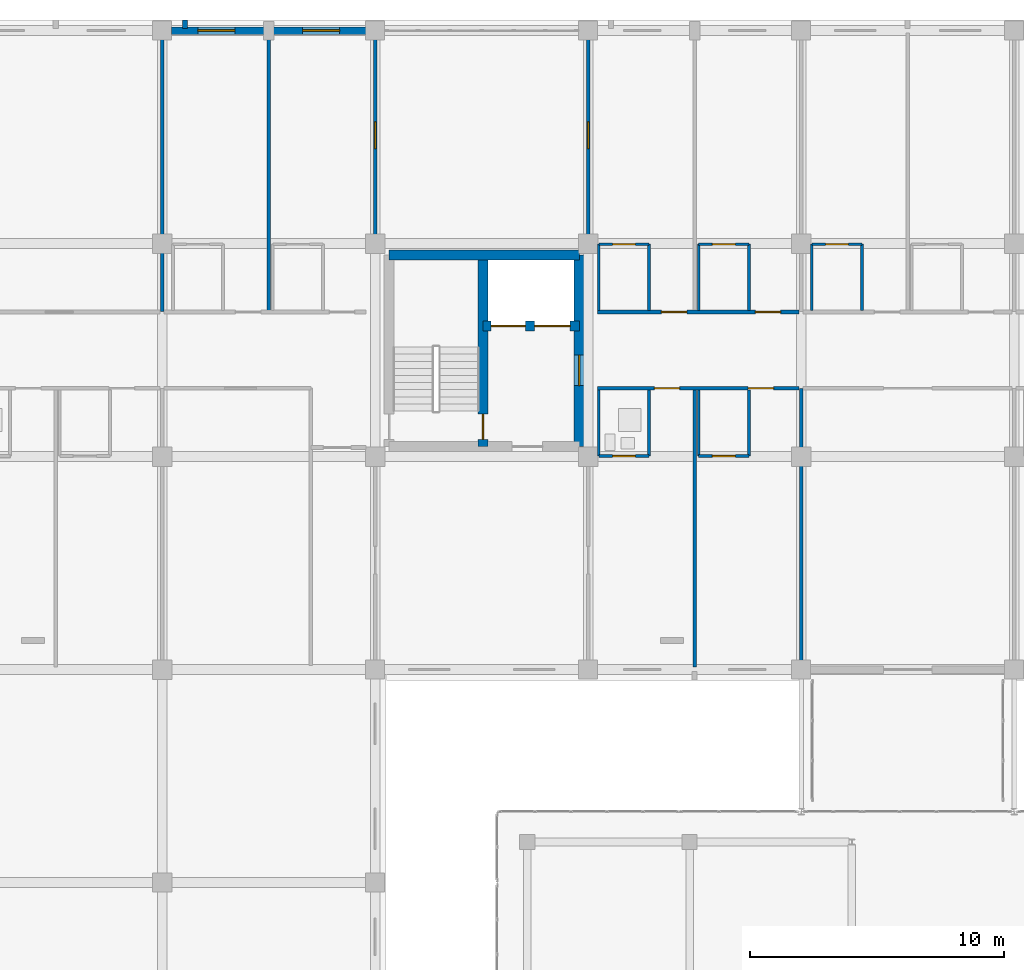
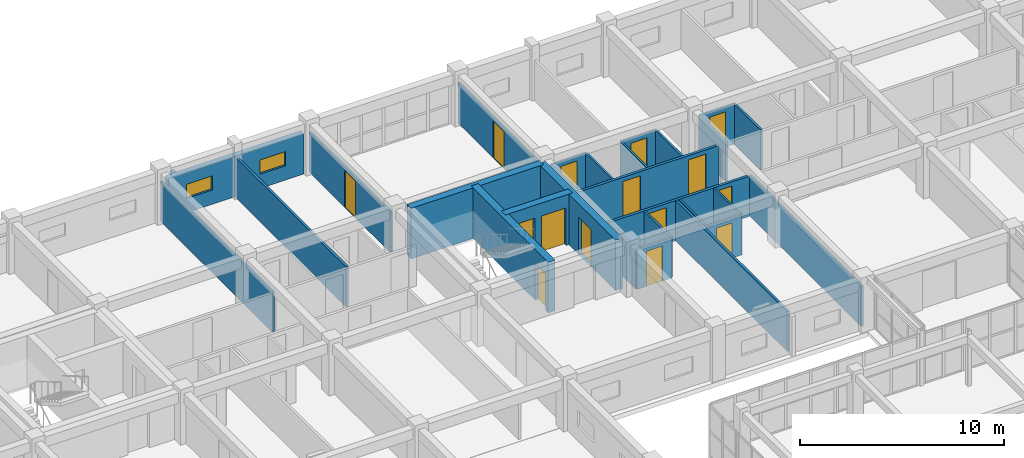
# One storey, part 175 of 200: 29 walls, 15 doors, 2 windows, 17 openings.
"""IFC4 building model written with IfcOpenShell, lengths in metres."""

from ifc_helpers import new_model, si_unit, direction, frame, frame_2d, origin, place, context, subcontext, project, spatial, rectangle, extrude, material, layer, layer_set, type_object, element, fill, save


model = new_model("IFC4")

# Units and contexts
model_context = context("Model", 3, precision=1e-05, world=origin(), true_north=direction((0.0, 1.0)))
body_context = subcontext(model_context, "Body", "Model", "MODEL_VIEW")
ifc_project = project(units=[si_unit("LENGTHUNIT", "METRE"), si_unit("AREAUNIT", "SQUARE_METRE"), si_unit("VOLUMEUNIT", "CUBIC_METRE"), si_unit("PLANEANGLEUNIT", "RADIAN"), si_unit("MASSUNIT", "GRAM", prefix="KILO")], contexts=[model_context])

# Site, building, storey
site_placement = place(None, origin())
site = spatial("IfcSite", under=ifc_project, at=site_placement, CompositionType="ELEMENT")
building_placement = place(site_placement, origin())
building = spatial("IfcBuilding", under=site, at=building_placement, Name="Trelvath General Hospital", CompositionType="ELEMENT")
storey_placement = place(building_placement, frame((0.0, 0.0, 4.800048828125)))
storey = spatial("IfcBuildingStorey", under=building, at=storey_placement, Name="L01", CompositionType="ELEMENT", Elevation=4.800048828125)

# Wall
ifc_material_1 = material(Name="Precast concrete C40/50", Category="concrete")
ifc_layer_1 = layer(ifc_material_1, 0.199951171875)
ifc_layer_set_1 = layer_set([ifc_layer_1], Name="Precast concrete C40/50")
wall_type_1 = type_object("IfcWallType", Name="BriseSoleilRib 200", PredefinedType="ELEMENTEDWALL", material=ifc_layer_set_1)
wall_1_placement = place(storey_placement, frame((34.506103515625, 117.675048828125, 0.0), z_axis=(0.0, 0.0, 1.0), x_axis=(0.0, 1.0, 0.0)))
element("IfcWall", 1, at=wall_1_placement, inside=storey, type_object=wall_type_1, Name="Precast Concrete Brise-Soleil Rib Fin L01-98", PredefinedType="ELEMENTEDWALL", context=body_context, shape_type="SweptSolid", body=[
    extrude(rectangle(XDim=0.33984375, YDim=0.199951171875, at=frame_2d((0.169921875, 0.0))), origin(), (0.0, 0.0, 1.0), 2.39990234375),
])

# Wall, openings, doors
ifc_material_2 = material(Name="Gypsum acoustic steel-stud partition", Category="steel")
ifc_layer_2 = layer(ifc_material_2, 0.14990234375)
ifc_layer_set_2 = layer_set([ifc_layer_2], Name="Gypsum acoustic steel-stud partition")
wall_type_2 = type_object("IfcWallType", Name="ClinicalPartition 150", PredefinedType="PARTITIONING", material=ifc_layer_set_2)
wall_2_placement = place(storey_placement, frame((50.760009765625, 103.5, 0.0), z_axis=(0.0, 0.0, 1.0), x_axis=(1.0, 0.0, 0.0)))
wall_2 = element("IfcWall", 2, at=wall_2_placement, inside=storey, type_object=wall_type_2, Name="Corridor Partition L01-539", PredefinedType="PARTITIONING", context=body_context, shape_type="SweptSolid", body=[
    extrude(rectangle(XDim=7.9599609375, YDim=0.14990234375, at=frame_2d((3.97998046875, 0.0))), origin(), (0.0, 0.0, 1.0), 2.39990234375),
])
opening_1_placement = place(wall_2_placement, frame((2.25, 0.0, 0.0)))
opening_1 = element("IfcOpeningElement", 3, at=opening_1_placement, cuts=wall_2, Name="Opening D-1-0554", PredefinedType="OPENING", context=body_context, shape_type="SweptSolid", body=[
    extrude(rectangle(XDim=1.0, YDim=2.14990234375, at=frame_2d((0.5, 1.074951171875))), frame((0.0, 0.0849609375, 0.0), z_axis=(0.0, -1.0, 0.0), x_axis=(1.0, 0.0, 0.0)), (0.0, 0.0, 1.0), 0.169921875),
])
opening_2_placement = place(wall_2_placement, frame((5.949951171875, 0.0, 0.0)))
opening_2 = element("IfcOpeningElement", 4, at=opening_2_placement, cuts=wall_2, Name="Opening D-1-0555", PredefinedType="OPENING", context=body_context, shape_type="SweptSolid", body=[
    extrude(rectangle(XDim=1.0, YDim=2.14990234375, at=frame_2d((0.5, 1.074951171875))), frame((0.0, 0.0849609375, 0.0), z_axis=(0.0, -1.0, 0.0), x_axis=(1.0, 0.0, 0.0)), (0.0, 0.0, 1.0), 0.169921875),
])
ifc_material_3 = material(Name="Acoustic hospital timber leaf", Category="wood")
door_type_1 = type_object("IfcDoorType", Name="Door Consult 1000x2150", OperationType="NOTDEFINED", PredefinedType="DOOR", material=ifc_material_3)
door_1_placement = place(opening_1_placement, origin())
door_1 = element("IfcDoor", 5, at=door_1_placement, inside=storey, type_object=door_type_1, Name="Patient Room Door L01-554", OperationType="SINGLE_SWING_RIGHT", OverallHeight=2.14990234375, OverallWidth=1.0, PredefinedType="DOOR", context=body_context, shape_type="SweptSolid", body=[
    extrude(rectangle(XDim=1.0, YDim=2.14990234375, at=frame_2d((0.5, 1.074951171875))), frame((0.0, 0.02490234375, 0.0), z_axis=(0.0, -1.0, 0.0), x_axis=(1.0, 0.0, 0.0)), (0.0, 0.0, 1.0), 0.050048828125),
])
fill(opening_1, door_1)
door_2_placement = place(opening_2_placement, origin())
door_2 = element("IfcDoor", 6, at=door_2_placement, inside=storey, type_object=door_type_1, Name="Patient Room Door L01-555", OperationType="SINGLE_SWING_LEFT", OverallHeight=2.14990234375, OverallWidth=1.0, PredefinedType="DOOR", context=body_context, shape_type="SweptSolid", body=[
    extrude(rectangle(XDim=1.0, YDim=2.14990234375, at=frame_2d((0.5, 1.074951171875))), frame((0.0, 0.02490234375, 0.0), z_axis=(0.0, -1.0, 0.0), x_axis=(1.0, 0.0, 0.0)), (0.0, 0.0, 1.0), 0.050048828125),
])
fill(opening_2, door_2)

wall_3_placement = place(storey_placement, frame((58.719970703125, 106.5, 0.0), z_axis=(0.0, 0.0, 1.0), x_axis=(-1.0, 0.0, 0.0)))
wall_3 = element("IfcWall", 7, at=wall_3_placement, inside=storey, type_object=wall_type_2, Name="Corridor Partition N L01-548", PredefinedType="PARTITIONING", context=body_context, shape_type="SweptSolid", body=[
    extrude(rectangle(XDim=7.9599609375, YDim=0.14990234375, at=frame_2d((3.97998046875, 0.0))), origin(), (0.0, 0.0, 1.0), 2.39990234375),
])
opening_3_placement = place(wall_3_placement, frame((0.72998046875, 0.0, 0.0)))
opening_3 = element("IfcOpeningElement", 8, at=opening_3_placement, cuts=wall_3, Name="Opening D-1-0558", PredefinedType="OPENING", context=body_context, shape_type="SweptSolid", body=[
    extrude(rectangle(XDim=1.0, YDim=2.14990234375, at=frame_2d((0.5, 1.074951171875))), frame((0.0, 0.0849609375, 0.0), z_axis=(0.0, -1.0, 0.0), x_axis=(1.0, 0.0, 0.0)), (0.0, 0.0, 1.0), 0.169921875),
])
opening_4_placement = place(wall_3_placement, frame((4.429931640625, 0.0, 0.0)))
opening_4 = element("IfcOpeningElement", 9, at=opening_4_placement, cuts=wall_3, Name="Opening D-1-0559", PredefinedType="OPENING", context=body_context, shape_type="SweptSolid", body=[
    extrude(rectangle(XDim=1.0, YDim=2.14990234375, at=frame_2d((0.5, 1.074951171875))), frame((0.0, 0.0849609375, 0.0), z_axis=(0.0, -1.0, 0.0), x_axis=(1.0, 0.0, 0.0)), (0.0, 0.0, 1.0), 0.169921875),
])
door_3_placement = place(opening_3_placement, origin())
door_3 = element("IfcDoor", 10, at=door_3_placement, inside=storey, type_object=door_type_1, Name="Patient Room Door N L01-558", OperationType="SINGLE_SWING_RIGHT", OverallHeight=2.14990234375, OverallWidth=1.0, PredefinedType="DOOR", context=body_context, shape_type="SweptSolid", body=[
    extrude(rectangle(XDim=1.0, YDim=2.14990234375, at=frame_2d((0.5, 1.074951171875))), frame((0.0, 0.02490234375, 0.0), z_axis=(0.0, -1.0, 0.0), x_axis=(1.0, 0.0, 0.0)), (0.0, 0.0, 1.0), 0.050048828125),
])
fill(opening_3, door_3)
door_4_placement = place(opening_4_placement, origin())
door_4 = element("IfcDoor", 11, at=door_4_placement, inside=storey, type_object=door_type_1, Name="Patient Room Door N L01-559", OperationType="SINGLE_SWING_RIGHT", OverallHeight=2.14990234375, OverallWidth=1.0, PredefinedType="DOOR", context=body_context, shape_type="SweptSolid", body=[
    extrude(rectangle(XDim=1.0, YDim=2.14990234375, at=frame_2d((0.5, 1.074951171875))), frame((0.0, 0.02490234375, 0.0), z_axis=(0.0, -1.0, 0.0), x_axis=(1.0, 0.0, 0.0)), (0.0, 0.0, 1.0), 0.050048828125),
])
fill(opening_4, door_4)

# Wall
ifc_material_4 = material(Name="Concrete C40/50", Category="concrete")
ifc_layer_3 = layer(ifc_material_4, 0.39990234375)
ifc_layer_set_3 = layer_set([ifc_layer_3], Name="Concrete C40/50")
wall_type_3 = type_object("IfcWallType", Name="CoreShearWall 400", PredefinedType="SHEAR", material=ifc_layer_set_3)
wall_4_placement = place(storey_placement, frame((42.550048828125, 108.75, 0.0), z_axis=(0.0, 0.0, 1.0), x_axis=(1.0, 0.0, 0.0)))
element("IfcWall", 12, at=wall_4_placement, inside=storey, type_object=wall_type_3, Name="Core Shear Wall C1 N L01", PredefinedType="SHEAR", context=body_context, shape_type="SweptSolid", body=[
    extrude(rectangle(XDim=7.5, YDim=0.39990234375, at=frame_2d((3.75, 0.0))), origin(), (0.0, 0.0, 1.0), 3.02001953125),
])

# Wall, opening, door
wall_5_placement = place(storey_placement, frame((50.050048828125, 101.199951171875, 0.0), z_axis=(0.0, 0.0, 1.0), x_axis=(0.0, 1.0, 0.0)))
wall_5 = element("IfcWall", 13, at=wall_5_placement, inside=storey, type_object=wall_type_3, Name="Core Shear Wall C1 E L01", PredefinedType="SHEAR", context=body_context, shape_type="SweptSolid", body=[
    extrude(rectangle(XDim=7.550048828125, YDim=0.39990234375, at=frame_2d((3.77490234375, 0.0))), origin(), (0.0, 0.0, 1.0), 3.02001953125),
])
opening_5_placement = place(wall_5_placement, frame((2.39990234375, 0.0, 0.0)))
opening_5 = element("IfcOpeningElement", 14, at=opening_5_placement, cuts=wall_5, Name="Opening FD-LE11", PredefinedType="OPENING", context=body_context, shape_type="SweptSolid", body=[
    extrude(rectangle(XDim=1.199951171875, YDim=2.199951171875, at=frame_2d((0.60009765625, 1.10009765625))), frame((0.0, 0.2099609375, 0.0), z_axis=(0.0, -1.0, 0.0), x_axis=(1.0, 0.0, 0.0)), (0.0, 0.0, 1.0), 0.419921875),
])
ifc_material_5 = material(Name="Fire-rated steel door", Category="steel")
door_type_2 = type_object("IfcDoorType", Name="Door FireLobby 1200x2200", OperationType="NOTDEFINED", PredefinedType="DOOR", material=ifc_material_5)
door_5_placement = place(opening_5_placement, origin())
door_5 = element("IfcDoor", 15, at=door_5_placement, inside=storey, type_object=door_type_2, Name="Fire Lobby East Corridor Door C1 L01", OperationType="SINGLE_SWING_LEFT", OverallHeight=2.199951171875, OverallWidth=1.199951171875, PredefinedType="DOOR", context=body_context, shape_type="SweptSolid", body=[
    extrude(rectangle(XDim=1.199951171875, YDim=2.199951171875, at=frame_2d((0.60009765625, 1.10009765625))), frame((0.0, 0.02490234375, 0.0), z_axis=(0.0, -1.0, 0.0), x_axis=(1.0, 0.0, 0.0)), (0.0, 0.0, 1.0), 0.050048828125),
])
fill(opening_5, door_5)

wall_6_placement = place(storey_placement, frame((46.25, 101.199951171875, 0.0), z_axis=(0.0, 0.0, 1.0), x_axis=(0.0, 1.0, 0.0)))
wall_6 = element("IfcWall", 16, at=wall_6_placement, inside=storey, type_object=wall_type_3, Name="Core Shear Wall C1 SPINE L01", PredefinedType="SHEAR", context=body_context, shape_type="SweptSolid", body=[
    extrude(rectangle(XDim=7.550048828125, YDim=0.39990234375, at=frame_2d((3.77490234375, 0.0))), origin(), (0.0, 0.0, 1.0), 3.02001953125),
])
opening_6_placement = place(wall_6_placement, frame((0.280029296875, 0.0, 0.0)))
opening_6 = element("IfcOpeningElement", 17, at=opening_6_placement, cuts=wall_6, Name="Opening FD-S11", PredefinedType="OPENING", context=body_context, shape_type="SweptSolid", body=[
    extrude(rectangle(XDim=1.0, YDim=2.14990234375, at=frame_2d((0.5, 1.074951171875))), frame((0.0, 0.2099609375, 0.0), z_axis=(0.0, -1.0, 0.0), x_axis=(1.0, 0.0, 0.0)), (0.0, 0.0, 1.0), 0.419921875),
])
ifc_material_6 = material(Name="Fire-rated steel door", Category="steel")
door_type_3 = type_object("IfcDoorType", Name="Door FireStair 1100x2150", OperationType="NOTDEFINED", PredefinedType="DOOR", material=ifc_material_6)
door_6_placement = place(opening_6_placement, origin())
door_6 = element("IfcDoor", 18, at=door_6_placement, inside=storey, type_object=door_type_3, Name="Exit Stair Door ST1 L01", OperationType="SINGLE_SWING_RIGHT", OverallHeight=2.14990234375, OverallWidth=1.0, PredefinedType="DOOR", context=body_context, shape_type="SweptSolid", body=[
    extrude(rectangle(XDim=1.0, YDim=2.14990234375, at=frame_2d((0.5, 1.074951171875))), frame((0.0, 0.02490234375, 0.0), z_axis=(0.0, -1.0, 0.0), x_axis=(1.0, 0.0, 0.0)), (0.0, 0.0, 1.0), 0.050048828125),
])
fill(opening_6, door_6)

# Wall, openings, doors
wall_7_placement = place(storey_placement, frame((46.25, 105.949951171875, 0.0), z_axis=(0.0, 0.0, 1.0), x_axis=(1.0, 0.0, 0.0)))
wall_7 = element("IfcWall", 19, at=wall_7_placement, inside=storey, type_object=wall_type_3, Name="Core Shear Wall C1 SHAFT L01", PredefinedType="SHEAR", context=body_context, shape_type="SweptSolid", body=[
    extrude(rectangle(XDim=3.800048828125, YDim=0.39990234375, at=frame_2d((1.89990234375, 0.0))), origin(), (0.0, 0.0, 1.0), 3.02001953125),
])
opening_7_placement = place(wall_7_placement, frame((0.320068359375, 0.0, 0.0)))
opening_7 = element("IfcOpeningElement", 20, at=opening_7_placement, cuts=wall_7, Name="Opening LD-FF1-1", PredefinedType="OPENING", context=body_context, shape_type="SweptSolid", body=[
    extrude(rectangle(XDim=1.35009765625, YDim=2.25, at=frame_2d((0.675048828125, 1.125))), frame((0.0, 0.2099609375, 0.0), z_axis=(0.0, -1.0, 0.0), x_axis=(1.0, 0.0, 0.0)), (0.0, 0.0, 1.0), 0.419921875),
])
opening_8_placement = place(wall_7_placement, frame((2.0400390625, 0.0, 0.0)))
opening_8 = element("IfcOpeningElement", 21, at=opening_8_placement, cuts=wall_7, Name="Opening LD-BD1-1", PredefinedType="OPENING", context=body_context, shape_type="SweptSolid", body=[
    extrude(rectangle(XDim=1.39990234375, YDim=2.25, at=frame_2d((0.699951171875, 1.125))), frame((0.0, 0.2099609375, 0.0), z_axis=(0.0, -1.0, 0.0), x_axis=(1.0, 0.0, 0.0)), (0.0, 0.0, 1.0), 0.419921875),
])
ifc_material_7 = material(Name="Stainless steel stretcher lift landing door", Category="steel")
door_type_4 = type_object("IfcDoorType", Name="Door LiftBed 1400x2250", OperationType="SLIDING_TO_LEFT", PredefinedType="DOOR", material=ifc_material_7)
door_7_placement = place(opening_8_placement, origin())
door_7 = element("IfcDoor", 22, at=door_7_placement, inside=storey, type_object=door_type_4, Name="Lift Landing Sliding Door LF-BD1 L01", OperationType="SLIDING_TO_LEFT", OverallHeight=2.25, OverallWidth=1.39990234375, PredefinedType="DOOR", context=body_context, shape_type="SweptSolid", body=[
    extrude(rectangle(XDim=1.39990234375, YDim=2.25, at=frame_2d((0.699951171875, 1.125))), frame((0.0, 0.02490234375, 0.0), z_axis=(0.0, -1.0, 0.0), x_axis=(1.0, 0.0, 0.0)), (0.0, 0.0, 1.0), 0.050048828125),
])
fill(opening_8, door_7)
ifc_material_8 = material(Name="Fire-rated stainless lift landing door")
door_type_5 = type_object("IfcDoorType", Name="Door LiftFire 1350x2250", OperationType="SLIDING_TO_LEFT", PredefinedType="DOOR", material=ifc_material_8)
door_8_placement = place(opening_7_placement, origin())
door_8 = element("IfcDoor", 23, at=door_8_placement, inside=storey, type_object=door_type_5, Name="Lift Landing Sliding Door LF-FF1 L01", OperationType="SLIDING_TO_LEFT", OverallHeight=2.25, OverallWidth=1.35009765625, PredefinedType="DOOR", context=body_context, shape_type="SweptSolid", body=[
    extrude(rectangle(XDim=1.35009765625, YDim=2.25, at=frame_2d((0.675048828125, 1.125))), frame((0.0, 0.02490234375, 0.0), z_axis=(0.0, -1.0, 0.0), x_axis=(1.0, 0.0, 0.0)), (0.0, 0.0, 1.0), 0.050048828125),
])
fill(opening_7, door_8)

# Walls
ifc_material_9 = material(Name="Moisture-resistant tile partition")
ifc_layer_4 = layer(ifc_material_9, 0.110107421875)
ifc_layer_set_4 = layer_set([ifc_layer_4], Name="Moisture-resistant tile partition")
wall_type_4 = type_object("IfcWallType", Name="EnSuiteWetWall 110", PredefinedType="PARTITIONING", material=ifc_layer_set_4)
for number, where, z_axis, x_axis, name in (
    (24, (50.820068359375, 100.820068359375, 0.0), (0.0, 0.0, 1.0), (0.0, 1.0, 0.0), "En-Suite W Wall L01-541"),
    (25, (52.800048828125, 100.820068359375, 0.0), (0.0, 0.0, 1.0), (0.0, 1.0, 0.0), "En-Suite E Wall L01-542"),
):
    element("IfcWall", number, at=place(storey_placement, frame(where, z_axis=z_axis, x_axis=x_axis)), inside=storey, type_object=wall_type_4, Name=name, PredefinedType="PARTITIONING", context=body_context, shape_type="SweptSolid", body=[
        extrude(rectangle(XDim=2.60986328125, YDim=0.110107421875, at=frame_2d((1.304931640625, 0.0))), origin(), (0.0, 0.0, 1.0), 2.39990234375),
    ])

# Wall, opening, door
wall_8_placement = place(storey_placement, frame((50.820068359375, 100.820068359375, 0.0), z_axis=(0.0, 0.0, 1.0), x_axis=(1.0, 0.0, 0.0)))
wall_8 = element("IfcWall", 26, at=wall_8_placement, inside=storey, type_object=wall_type_4, Name="En-Suite Bathroom Partition L01-543", PredefinedType="PARTITIONING", context=body_context, shape_type="SweptSolid", body=[
    extrude(rectangle(XDim=1.97998046875, YDim=0.110107421875, at=frame_2d((0.989990234375, 0.0))), origin(), (0.0, 0.0, 1.0), 2.39990234375),
])
opening_9_placement = place(wall_8_placement, frame((0.5400390625, 0.0, 0.0)))
opening_9 = element("IfcOpeningElement", 27, at=opening_9_placement, cuts=wall_8, Name="Opening D-1-0556", PredefinedType="OPENING", context=body_context, shape_type="SweptSolid", body=[
    extrude(rectangle(XDim=0.89990234375, YDim=2.10009765625, at=frame_2d((0.449951171875, 1.050048828125))), frame((0.0, 0.06494140625, 0.0), z_axis=(0.0, -1.0, 0.0), x_axis=(1.0, 0.0, 0.0)), (0.0, 0.0, 1.0), 0.130126953125),
])
ifc_material_10 = material(Name="Moisture-sealed timber leaf", Category="wood")
door_type_6 = type_object("IfcDoorType", Name="Door EnSuite 900x2100", OperationType="NOTDEFINED", PredefinedType="DOOR", material=ifc_material_10)
door_9_placement = place(opening_9_placement, origin())
door_9 = element("IfcDoor", 28, at=door_9_placement, inside=storey, type_object=door_type_6, Name="En-Suite Bathroom Door L01-556", OperationType="SINGLE_SWING_RIGHT", OverallHeight=2.10009765625, OverallWidth=0.89990234375, PredefinedType="DOOR", context=body_context, shape_type="SweptSolid", body=[
    extrude(rectangle(XDim=0.89990234375, YDim=2.10009765625, at=frame_2d((0.449951171875, 1.050048828125))), frame((0.0, 0.02490234375, 0.0), z_axis=(0.0, -1.0, 0.0), x_axis=(1.0, 0.0, 0.0)), (0.0, 0.0, 1.0), 0.050048828125),
])
fill(opening_9, door_9)

# Walls
for number, where, z_axis, x_axis, name in (
    (29, (54.760009765625, 100.820068359375, 0.0), (0.0, 0.0, 1.0), (0.0, 1.0, 0.0), "En-Suite W Wall L01-544"),
    (30, (56.739990234375, 100.820068359375, 0.0), (0.0, 0.0, 1.0), (0.0, 1.0, 0.0), "En-Suite E Wall L01-545"),
):
    element("IfcWall", number, at=place(storey_placement, frame(where, z_axis=z_axis, x_axis=x_axis)), inside=storey, type_object=wall_type_4, Name=name, PredefinedType="PARTITIONING", context=body_context, shape_type="SweptSolid", body=[
        extrude(rectangle(XDim=2.60986328125, YDim=0.110107421875, at=frame_2d((1.304931640625, 0.0))), origin(), (0.0, 0.0, 1.0), 2.39990234375),
    ])

# Wall, opening, door
wall_9_placement = place(storey_placement, frame((54.760009765625, 100.820068359375, 0.0), z_axis=(0.0, 0.0, 1.0), x_axis=(1.0, 0.0, 0.0)))
wall_9 = element("IfcWall", 31, at=wall_9_placement, inside=storey, type_object=wall_type_4, Name="En-Suite Bathroom Partition L01-546", PredefinedType="PARTITIONING", context=body_context, shape_type="SweptSolid", body=[
    extrude(rectangle(XDim=1.97998046875, YDim=0.110107421875, at=frame_2d((0.989990234375, 0.0))), origin(), (0.0, 0.0, 1.0), 2.39990234375),
])
opening_10_placement = place(wall_9_placement, frame((0.5400390625, 0.0, 0.0)))
opening_10 = element("IfcOpeningElement", 32, at=opening_10_placement, cuts=wall_9, Name="Opening D-1-0557", PredefinedType="OPENING", context=body_context, shape_type="SweptSolid", body=[
    extrude(rectangle(XDim=0.89990234375, YDim=2.10009765625, at=frame_2d((0.449951171875, 1.050048828125))), frame((0.0, 0.06494140625, 0.0), z_axis=(0.0, -1.0, 0.0), x_axis=(1.0, 0.0, 0.0)), (0.0, 0.0, 1.0), 0.130126953125),
])
door_10_placement = place(opening_10_placement, origin())
door_10 = element("IfcDoor", 33, at=door_10_placement, inside=storey, type_object=door_type_6, Name="En-Suite Bathroom Door L01-557", OperationType="SINGLE_SWING_LEFT", OverallHeight=2.10009765625, OverallWidth=0.89990234375, PredefinedType="DOOR", context=body_context, shape_type="SweptSolid", body=[
    extrude(rectangle(XDim=0.89990234375, YDim=2.10009765625, at=frame_2d((0.449951171875, 1.050048828125))), frame((0.0, 0.02490234375, 0.0), z_axis=(0.0, -1.0, 0.0), x_axis=(1.0, 0.0, 0.0)), (0.0, 0.0, 1.0), 0.050048828125),
])
fill(opening_10, door_10)

# Walls
for number, where, z_axis, x_axis, name in (
    (34, (50.820068359375, 106.570068359375, 0.0), (0.0, 0.0, 1.0), (0.0, 1.0, 0.0), "En-Suite W Wall N L01-550"),
    (35, (52.800048828125, 106.570068359375, 0.0), (0.0, 0.0, 1.0), (0.0, 1.0, 0.0), "En-Suite E Wall N L01-551"),
):
    element("IfcWall", number, at=place(storey_placement, frame(where, z_axis=z_axis, x_axis=x_axis)), inside=storey, type_object=wall_type_4, Name=name, PredefinedType="PARTITIONING", context=body_context, shape_type="SweptSolid", body=[
        extrude(rectangle(XDim=2.60986328125, YDim=0.110107421875, at=frame_2d((1.304931640625, 0.0))), origin(), (0.0, 0.0, 1.0), 2.39990234375),
    ])

# Wall, opening, door
wall_10_placement = place(storey_placement, frame((50.820068359375, 109.179931640625, 0.0), z_axis=(0.0, 0.0, 1.0), x_axis=(1.0, 0.0, 0.0)))
wall_10 = element("IfcWall", 36, at=wall_10_placement, inside=storey, type_object=wall_type_4, Name="En-Suite Bathroom N Partition L01-552", PredefinedType="PARTITIONING", context=body_context, shape_type="SweptSolid", body=[
    extrude(rectangle(XDim=1.97998046875, YDim=0.110107421875, at=frame_2d((0.989990234375, 0.0))), origin(), (0.0, 0.0, 1.0), 2.39990234375),
])
opening_11_placement = place(wall_10_placement, frame((0.5400390625, 0.0, 0.0)))
opening_11 = element("IfcOpeningElement", 37, at=opening_11_placement, cuts=wall_10, Name="Opening D-1-0560", PredefinedType="OPENING", context=body_context, shape_type="SweptSolid", body=[
    extrude(rectangle(XDim=0.89990234375, YDim=2.10009765625, at=frame_2d((0.449951171875, 1.050048828125))), frame((0.0, 0.06494140625, 0.0), z_axis=(0.0, -1.0, 0.0), x_axis=(1.0, 0.0, 0.0)), (0.0, 0.0, 1.0), 0.130126953125),
])
door_11_placement = place(opening_11_placement, origin())
door_11 = element("IfcDoor", 38, at=door_11_placement, inside=storey, type_object=door_type_6, Name="En-Suite Bathroom N Door L01-560", OperationType="SINGLE_SWING_LEFT", OverallHeight=2.10009765625, OverallWidth=0.89990234375, PredefinedType="DOOR", context=body_context, shape_type="SweptSolid", body=[
    extrude(rectangle(XDim=0.89990234375, YDim=2.10009765625, at=frame_2d((0.449951171875, 1.050048828125))), frame((0.0, 0.02490234375, 0.0), z_axis=(0.0, -1.0, 0.0), x_axis=(1.0, 0.0, 0.0)), (0.0, 0.0, 1.0), 0.050048828125),
])
fill(opening_11, door_11)

# Walls
for number, where, z_axis, x_axis, name in (
    (39, (54.760009765625, 106.570068359375, 0.0), (0.0, 0.0, 1.0), (0.0, 1.0, 0.0), "En-Suite W Wall N L01-553"),
    (40, (56.739990234375, 106.570068359375, 0.0), (0.0, 0.0, 1.0), (0.0, 1.0, 0.0), "En-Suite E Wall N L01-554"),
):
    element("IfcWall", number, at=place(storey_placement, frame(where, z_axis=z_axis, x_axis=x_axis)), inside=storey, type_object=wall_type_4, Name=name, PredefinedType="PARTITIONING", context=body_context, shape_type="SweptSolid", body=[
        extrude(rectangle(XDim=2.60986328125, YDim=0.110107421875, at=frame_2d((1.304931640625, 0.0))), origin(), (0.0, 0.0, 1.0), 2.39990234375),
    ])

# Wall, opening, door
wall_11_placement = place(storey_placement, frame((54.760009765625, 109.179931640625, 0.0), z_axis=(0.0, 0.0, 1.0), x_axis=(1.0, 0.0, 0.0)))
wall_11 = element("IfcWall", 41, at=wall_11_placement, inside=storey, type_object=wall_type_4, Name="En-Suite Bathroom N Partition L01-555", PredefinedType="PARTITIONING", context=body_context, shape_type="SweptSolid", body=[
    extrude(rectangle(XDim=1.97998046875, YDim=0.110107421875, at=frame_2d((0.989990234375, 0.0))), origin(), (0.0, 0.0, 1.0), 2.39990234375),
])
opening_12_placement = place(wall_11_placement, frame((0.5400390625, 0.0, 0.0)))
opening_12 = element("IfcOpeningElement", 42, at=opening_12_placement, cuts=wall_11, Name="Opening D-1-0561", PredefinedType="OPENING", context=body_context, shape_type="SweptSolid", body=[
    extrude(rectangle(XDim=0.89990234375, YDim=2.10009765625, at=frame_2d((0.449951171875, 1.050048828125))), frame((0.0, 0.06494140625, 0.0), z_axis=(0.0, -1.0, 0.0), x_axis=(1.0, 0.0, 0.0)), (0.0, 0.0, 1.0), 0.130126953125),
])
door_12_placement = place(opening_12_placement, origin())
door_12 = element("IfcDoor", 43, at=door_12_placement, inside=storey, type_object=door_type_6, Name="En-Suite Bathroom N Door L01-561", OperationType="SINGLE_SWING_RIGHT", OverallHeight=2.10009765625, OverallWidth=0.89990234375, PredefinedType="DOOR", context=body_context, shape_type="SweptSolid", body=[
    extrude(rectangle(XDim=0.89990234375, YDim=2.10009765625, at=frame_2d((0.449951171875, 1.050048828125))), frame((0.0, 0.02490234375, 0.0), z_axis=(0.0, -1.0, 0.0), x_axis=(1.0, 0.0, 0.0)), (0.0, 0.0, 1.0), 0.050048828125),
])
fill(opening_12, door_12)

# Walls
for number, where, z_axis, x_axis, name in (
    (44, (59.219970703125, 106.570068359375, 0.0), (0.0, 0.0, 1.0), (0.0, 1.0, 0.0), "En-Suite W Wall N L01-561"),
    (45, (61.199951171875, 106.570068359375, 0.0), (0.0, 0.0, 1.0), (0.0, 1.0, 0.0), "En-Suite E Wall N L01-562"),
):
    element("IfcWall", number, at=place(storey_placement, frame(where, z_axis=z_axis, x_axis=x_axis)), inside=storey, type_object=wall_type_4, Name=name, PredefinedType="PARTITIONING", context=body_context, shape_type="SweptSolid", body=[
        extrude(rectangle(XDim=2.60986328125, YDim=0.110107421875, at=frame_2d((1.304931640625, 0.0))), origin(), (0.0, 0.0, 1.0), 2.39990234375),
    ])

# Wall, opening, door
wall_12_placement = place(storey_placement, frame((59.219970703125, 109.179931640625, 0.0), z_axis=(0.0, 0.0, 1.0), x_axis=(1.0, 0.0, 0.0)))
wall_12 = element("IfcWall", 46, at=wall_12_placement, inside=storey, type_object=wall_type_4, Name="En-Suite Bathroom N Partition L01-563", PredefinedType="PARTITIONING", context=body_context, shape_type="SweptSolid", body=[
    extrude(rectangle(XDim=1.97998046875, YDim=0.110107421875, at=frame_2d((0.989990234375, 0.0))), origin(), (0.0, 0.0, 1.0), 2.39990234375),
])
opening_13_placement = place(wall_12_placement, frame((0.5400390625, 0.0, 0.0)))
opening_13 = element("IfcOpeningElement", 47, at=opening_13_placement, cuts=wall_12, Name="Opening D-1-0565", PredefinedType="OPENING", context=body_context, shape_type="SweptSolid", body=[
    extrude(rectangle(XDim=0.89990234375, YDim=2.10009765625, at=frame_2d((0.449951171875, 1.050048828125))), frame((0.0, 0.06494140625, 0.0), z_axis=(0.0, -1.0, 0.0), x_axis=(1.0, 0.0, 0.0)), (0.0, 0.0, 1.0), 0.130126953125),
])
door_13_placement = place(opening_13_placement, origin())
door_13 = element("IfcDoor", 48, at=door_13_placement, inside=storey, type_object=door_type_6, Name="En-Suite Bathroom N Door L01-565", OperationType="SINGLE_SWING_RIGHT", OverallHeight=2.10009765625, OverallWidth=0.89990234375, PredefinedType="DOOR", context=body_context, shape_type="SweptSolid", body=[
    extrude(rectangle(XDim=0.89990234375, YDim=2.10009765625, at=frame_2d((0.449951171875, 1.050048828125))), frame((0.0, 0.02490234375, 0.0), z_axis=(0.0, -1.0, 0.0), x_axis=(1.0, 0.0, 0.0)), (0.0, 0.0, 1.0), 0.050048828125),
])
fill(opening_13, door_13)

# Wall, openings, windows
ifc_material_11 = material(Name="Concrete C35/45", Category="concrete")
ifc_layer_5 = layer(ifc_material_11, 0.2900390625)
ifc_layer_set_5 = layer_set([ifc_layer_5], Name="Concrete C35/45")
wall_type_5 = type_object("IfcWallType", Name="ExtBushHammeredWall 290", PredefinedType="SOLIDWALL", material=ifc_layer_set_5)
wall_13_placement = place(storey_placement, frame((33.969970703125, 117.60009765625, 0.0), z_axis=(0.0, 0.0, 1.0), x_axis=(1.0, 0.0, 0.0)))
wall_13 = element("IfcWall", 49, at=wall_13_placement, inside=storey, type_object=wall_type_5, Name="Exterior Concrete Wall L01-139", PredefinedType="SOLIDWALL", context=body_context, shape_type="SweptSolid", body=[
    extrude(rectangle(XDim=7.659912109375, YDim=0.2900390625, at=frame_2d((3.830078125, 0.0))), origin(), (0.0, 0.0, 1.0), 2.419921875),
])
opening_14_placement = place(wall_13_placement, frame((1.03173828125, 0.0, 0.85009765625)))
opening_14 = element("IfcOpeningElement", 50, at=opening_14_placement, cuts=wall_13, Name="Opening WN-1-207", PredefinedType="OPENING", context=body_context, shape_type="SweptSolid", body=[
    extrude(rectangle(XDim=1.4599609375, YDim=0.85009765625, at=frame_2d((0.72998046875, 0.425048828125))), frame((0.0, 0.155029296875, 0.0), z_axis=(0.0, -1.0, 0.0), x_axis=(1.0, 0.0, 0.0)), (0.0, 0.0, 1.0), 0.31005859375),
])
opening_15_placement = place(wall_13_placement, frame((5.168212890625, 0.0, 0.85009765625)))
opening_15 = element("IfcOpeningElement", 51, at=opening_15_placement, cuts=wall_13, Name="Opening WN-1-208", PredefinedType="OPENING", context=body_context, shape_type="SweptSolid", body=[
    extrude(rectangle(XDim=1.4599609375, YDim=0.85009765625, at=frame_2d((0.72998046875, 0.425048828125))), frame((0.0, 0.155029296875, 0.0), z_axis=(0.0, -1.0, 0.0), x_axis=(1.0, 0.0, 0.0)), (0.0, 0.0, 1.0), 0.31005859375),
])
ifc_material_12 = material(Name="Low-E laminated glass", Category="glass")
window_type = type_object("IfcWindowType", Name="Window ImagingClere 1460x850", PartitioningType="DOUBLE_PANEL_VERTICAL", PredefinedType="WINDOW", material=ifc_material_12)
window_1_placement = place(opening_14_placement, origin())
window_1 = element("IfcWindow", 52, at=window_1_placement, inside=storey, type_object=window_type, Name="Solar Reveal Window L01-207", OverallHeight=0.85009765625, OverallWidth=1.4599609375, PartitioningType="SINGLE_PANEL", PredefinedType="WINDOW", context=body_context, shape_type="SweptSolid", body=[
    extrude(rectangle(XDim=1.4599609375, YDim=0.85009765625, at=frame_2d((0.72998046875, 0.425048828125))), frame((0.0, 0.030029296875, 0.0), z_axis=(0.0, -1.0, 0.0), x_axis=(1.0, 0.0, 0.0)), (0.0, 0.0, 1.0), 0.06005859375),
])
fill(opening_14, window_1)
window_2_placement = place(opening_15_placement, origin())
window_2 = element("IfcWindow", 53, at=window_2_placement, inside=storey, type_object=window_type, Name="Solar Reveal Window L01-208", OverallHeight=0.85009765625, OverallWidth=1.4599609375, PartitioningType="SINGLE_PANEL", PredefinedType="WINDOW", context=body_context, shape_type="SweptSolid", body=[
    extrude(rectangle(XDim=1.4599609375, YDim=0.85009765625, at=frame_2d((0.72998046875, 0.425048828125))), frame((0.0, 0.030029296875, 0.0), z_axis=(0.0, -1.0, 0.0), x_axis=(1.0, 0.0, 0.0)), (0.0, 0.0, 1.0), 0.06005859375),
])
fill(opening_15, window_2)

# Walls
ifc_material_13 = material(Name="Gypsum acoustic steel-stud partition", Category="steel")
ifc_layer_6 = layer(ifc_material_13, 0.1298828125)
ifc_layer_set_6 = layer_set([ifc_layer_6], Name="Gypsum acoustic steel-stud partition")
wall_type_6 = type_object("IfcWallType", Name="WardPartition 130", PredefinedType="PARTITIONING", material=ifc_layer_set_6)
wall_14_placement = place(storey_placement, frame((33.60009765625, 106.52001953125, 0.0), z_axis=(0.0, 0.0, 1.0), x_axis=(0.0, 1.0, 0.0)))
element("IfcWall", 54, at=wall_14_placement, inside=storey, type_object=wall_type_6, Name="Inter-Bay Ward Partition N L01-523", PredefinedType="PARTITIONING", context=body_context, shape_type="SweptSolid", body=[
    extrude(rectangle(XDim=10.93994140625, YDim=0.1298828125, at=frame_2d((5.469970703125, 0.0))), origin(), (0.0, 0.0, 1.0), 2.39990234375),
])
wall_15_placement = place(storey_placement, frame((37.800048828125, 106.570068359375, 0.0), z_axis=(0.0, 0.0, 1.0), x_axis=(0.0, 1.0, 0.0)))
element("IfcWall", 55, at=wall_15_placement, inside=storey, type_object=wall_type_6, Name="Room Dividing Partition N L01-528", PredefinedType="PARTITIONING", context=body_context, shape_type="SweptSolid", body=[
    extrude(rectangle(XDim=10.929931640625, YDim=0.1298828125, at=frame_2d((5.46484375, 0.0))), origin(), (0.0, 0.0, 1.0), 2.39990234375),
])

# Wall, opening, door
wall_16_placement = place(storey_placement, frame((42.0, 109.550048828125, 0.0), z_axis=(0.0, 0.0, 1.0), x_axis=(0.0, 1.0, 0.0)))
wall_16 = element("IfcWall", 56, at=wall_16_placement, inside=storey, type_object=wall_type_6, Name="Inter-Bay Ward Partition N L01-536", PredefinedType="PARTITIONING", context=body_context, shape_type="SweptSolid", body=[
    extrude(rectangle(XDim=7.909912109375, YDim=0.1298828125, at=frame_2d((3.955078125, 0.0))), origin(), (0.0, 0.0, 1.0), 2.39990234375),
])
opening_16_placement = place(wall_16_placement, frame((3.39990234375, 0.0, 0.0)))
opening_16 = element("IfcOpeningElement", 57, at=opening_16_placement, cuts=wall_16, Name="Opening D-1-0551", PredefinedType="OPENING", context=body_context, shape_type="SweptSolid", body=[
    extrude(rectangle(XDim=1.050048828125, YDim=2.199951171875, at=frame_2d((0.52490234375, 1.10009765625))), frame((0.0, 0.074951171875, 0.0), z_axis=(0.0, -1.0, 0.0), x_axis=(1.0, 0.0, 0.0)), (0.0, 0.0, 1.0), 0.14990234375),
])
ifc_material_14 = material(Name="Acoustic hospital timber leaf", Category="wood")
door_type_7 = type_object("IfcDoorType", Name="Door Consult 1050x2200", OperationType="NOTDEFINED", PredefinedType="DOOR", material=ifc_material_14)
door_14_placement = place(opening_16_placement, origin())
door_14 = element("IfcDoor", 58, at=door_14_placement, inside=storey, type_object=door_type_7, Name="Consultation Connecting Door L01-551", OperationType="SINGLE_SWING_LEFT", OverallHeight=2.199951171875, OverallWidth=1.050048828125, PredefinedType="DOOR", context=body_context, shape_type="SweptSolid", body=[
    extrude(rectangle(XDim=1.050048828125, YDim=2.199951171875, at=frame_2d((0.52490234375, 1.10009765625))), frame((0.0, 0.02490234375, 0.0), z_axis=(0.0, -1.0, 0.0), x_axis=(1.0, 0.0, 0.0)), (0.0, 0.0, 1.0), 0.050048828125),
])
fill(opening_16, door_14)

wall_17_placement = place(storey_placement, frame((50.39990234375, 109.550048828125, 0.0), z_axis=(0.0, 0.0, 1.0), x_axis=(0.0, 1.0, 0.0)))
wall_17 = element("IfcWall", 59, at=wall_17_placement, inside=storey, type_object=wall_type_6, Name="Inter-Bay Ward Partition N L01-538", PredefinedType="PARTITIONING", context=body_context, shape_type="SweptSolid", body=[
    extrude(rectangle(XDim=7.909912109375, YDim=0.1298828125, at=frame_2d((3.955078125, 0.0))), origin(), (0.0, 0.0, 1.0), 2.39990234375),
])
opening_17_placement = place(wall_17_placement, frame((3.39990234375, 0.0, 0.0)))
opening_17 = element("IfcOpeningElement", 60, at=opening_17_placement, cuts=wall_17, Name="Opening D-1-0553", PredefinedType="OPENING", context=body_context, shape_type="SweptSolid", body=[
    extrude(rectangle(XDim=1.050048828125, YDim=2.199951171875, at=frame_2d((0.52490234375, 1.10009765625))), frame((0.0, 0.074951171875, 0.0), z_axis=(0.0, -1.0, 0.0), x_axis=(1.0, 0.0, 0.0)), (0.0, 0.0, 1.0), 0.14990234375),
])
door_15_placement = place(opening_17_placement, origin())
door_15 = element("IfcDoor", 61, at=door_15_placement, inside=storey, type_object=door_type_7, Name="Consultation Connecting Door L01-553", OperationType="SINGLE_SWING_LEFT", OverallHeight=2.199951171875, OverallWidth=1.050048828125, PredefinedType="DOOR", context=body_context, shape_type="SweptSolid", body=[
    extrude(rectangle(XDim=1.050048828125, YDim=2.199951171875, at=frame_2d((0.52490234375, 1.10009765625))), frame((0.0, 0.02490234375, 0.0), z_axis=(0.0, -1.0, 0.0), x_axis=(1.0, 0.0, 0.0)), (0.0, 0.0, 1.0), 0.050048828125),
])
fill(opening_17, door_15)

# Walls
wall_18_placement = place(storey_placement, frame((54.60009765625, 92.5, 0.0), z_axis=(0.0, 0.0, 1.0), x_axis=(0.0, 1.0, 0.0)))
element("IfcWall", 62, at=wall_18_placement, inside=storey, type_object=wall_type_6, Name="Room Dividing Partition S L01-540", PredefinedType="PARTITIONING", context=body_context, shape_type="SweptSolid", body=[
    extrude(rectangle(XDim=10.929931640625, YDim=0.1298828125, at=frame_2d((5.46484375, 0.0))), origin(), (0.0, 0.0, 1.0), 2.39990234375),
])
wall_19_placement = place(storey_placement, frame((58.800048828125, 92.5400390625, 0.0), z_axis=(0.0, 0.0, 1.0), x_axis=(0.0, 1.0, 0.0)))
element("IfcWall", 63, at=wall_19_placement, inside=storey, type_object=wall_type_6, Name="Inter-Bay Ward Partition S L01-556", PredefinedType="PARTITIONING", context=body_context, shape_type="SweptSolid", body=[
    extrude(rectangle(XDim=10.93994140625, YDim=0.1298828125, at=frame_2d((5.469970703125, 0.0))), origin(), (0.0, 0.0, 1.0), 2.39990234375),
])

save(model, "model.ifc")
